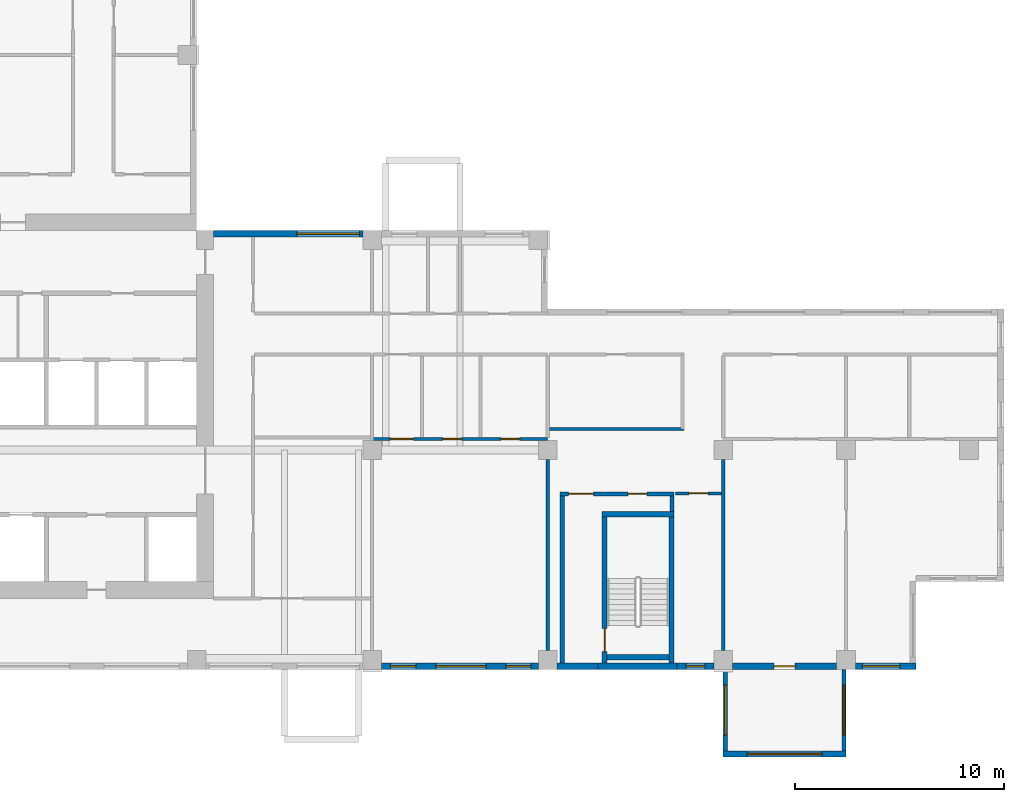
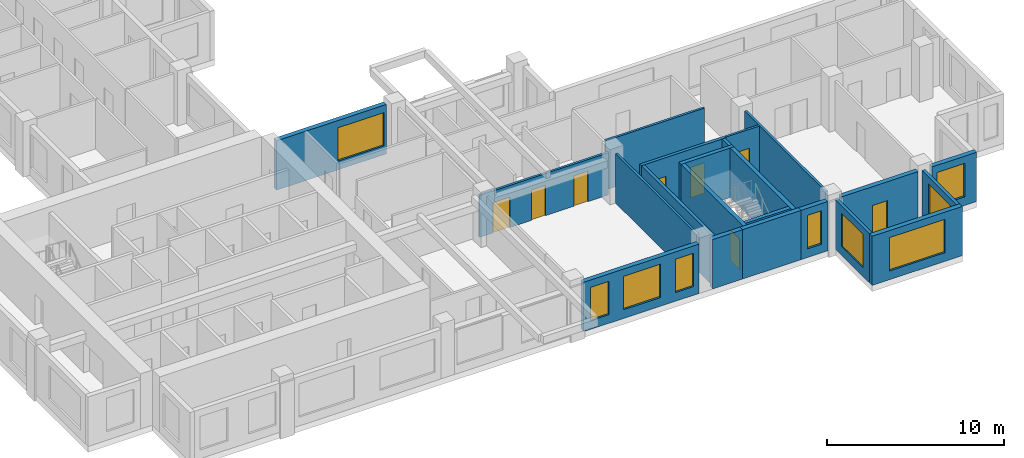
# One storey, part 4 of 12: 22 walls, 9 windows, 8 doors, 17 openings.
"""IFC4 building model written with IfcOpenShell, lengths in metres."""

from ifc_helpers import new_model, si_unit, direction, frame, frame_2d, origin, place, context, subcontext, project, spatial, rectangle, extrude, source, transform, mapped, material, layer, layer_set, type_object, element, fill, save


model = new_model("IFC4")

# Units and contexts
model_context = context("Model", 3, precision=1e-05, world=origin(), true_north=direction((0.0, 1.0)))
body_context = subcontext(model_context, "Body", "Model", "MODEL_VIEW")
ifc_project = project(units=[si_unit("LENGTHUNIT", "METRE"), si_unit("AREAUNIT", "SQUARE_METRE"), si_unit("VOLUMEUNIT", "CUBIC_METRE"), si_unit("PLANEANGLEUNIT", "RADIAN"), si_unit("MASSUNIT", "GRAM", prefix="KILO")], contexts=[model_context])

# Site, building, storey
site_placement = place(None, origin())
site = spatial("IfcSite", under=ifc_project, at=site_placement, CompositionType="ELEMENT")
building_placement = place(site_placement, origin())
building = spatial("IfcBuilding", under=site, at=building_placement, Name="Aurelian Terraces", CompositionType="ELEMENT")
storey_placement = place(building_placement, frame((0.0, 0.0, 189.2)))
storey = spatial("IfcBuildingStorey", under=building, at=storey_placement, Name="L41", CompositionType="ELEMENT", Elevation=189.2)

# Wall, opening, window
ifc_material_1 = material(Name="Terracotta rainscreen cladding", Category="masonry")
ifc_layer_1 = layer(ifc_material_1, 0.3)
ifc_layer_set_1 = layer_set([ifc_layer_1], Name="EW-300")
wall_type_1 = type_object("IfcWallType", Name="EW-300", PredefinedType="STANDARD", material=ifc_layer_set_1)
shared_shape_1 = source(origin(), body_context, "Body", "SweptSolid", [
    extrude(rectangle(XDim=7.15, YDim=0.3, at=frame_2d((3.575, 0.0))), origin(), (0.0, 0.0, 1.0), 3.4),
])
wall_1_placement = place(storey_placement, frame((28.95, 20.85, 0.0), z_axis=(0.0, 0.0, 1.0), x_axis=(-1.0, 0.0, 0.0)))
wall_1 = element("IfcWall", 1, at=wall_1_placement, inside=storey, type_object=wall_type_1, Name="External wall L41 F07.17", PredefinedType="STANDARD", context=body_context, shape_type="MappedRepresentation", body=[
    mapped(shared_shape_1, transform((0.0, 0.0, 0.0), scale=1.0)),
])
shared_shape_2 = source(origin(), body_context, "Body", "SweptSolid", [
    extrude(rectangle(XDim=3.0, YDim=2.3, at=frame_2d((1.5, 1.15))), frame((0.0, 0.16, 0.0), z_axis=(0.0, -1.0, 0.0), x_axis=(1.0, 0.0, 0.0)), (0.0, 0.0, 1.0), 0.32),
])
opening_1_placement = place(wall_1_placement, frame((0.15, 0.0, 0.6)))
opening_1 = element("IfcOpeningElement", 2, at=opening_1_placement, cuts=wall_1, Name="Opening W3023", PredefinedType="OPENING", context=body_context, shape_type="MappedRepresentation", body=[
    mapped(shared_shape_2, transform((0.0, 0.0, 0.0), scale=1.0)),
])
ifc_material_2 = material(Name="Clear glazing", Category="glass")
window_type_1 = type_object("IfcWindowType", Name="W-3000x2300", PartitioningType="SINGLE_PANEL", PredefinedType="WINDOW", material=ifc_material_2)
shared_shape_3 = source(origin(), body_context, "Body", "SweptSolid", [
    extrude(rectangle(XDim=3.0, YDim=2.3, at=frame_2d((1.5, 1.15))), frame((0.0, 0.03, 0.0), z_axis=(0.0, -1.0, 0.0), x_axis=(1.0, 0.0, 0.0)), (0.0, 0.0, 1.0), 0.06),
])
window_1_placement = place(opening_1_placement, origin())
window_1 = element("IfcWindow", 3, at=window_1_placement, inside=storey, type_object=window_type_1, Name="Window L41 L41-F07-17-0", OverallHeight=2.3, OverallWidth=3.0, PartitioningType="SINGLE_PANEL", PredefinedType="WINDOW", context=body_context, shape_type="MappedRepresentation", body=[
    mapped(shared_shape_3, transform((0.0, 0.0, 0.0), scale=1.0)),
])
fill(opening_1, window_1)

# Wall, openings, windows
shared_shape_4 = source(origin(), body_context, "Body", "SweptSolid", [
    extrude(rectangle(XDim=7.5, YDim=0.3, at=frame_2d((3.75, 0.0))), origin(), (0.0, 0.0, 1.0), 3.4),
])
wall_2_placement = place(storey_placement, frame((29.85, 0.15, 0.0), z_axis=(0.0, 0.0, 1.0), x_axis=(1.0, 0.0, 0.0)))
wall_2 = element("IfcWall", 4, at=wall_2_placement, inside=storey, type_object=wall_type_1, Name="External wall L41 F01.4", PredefinedType="STANDARD", context=body_context, shape_type="MappedRepresentation", body=[
    mapped(shared_shape_4, transform((0.0, 0.0, 0.0), scale=1.0)),
])
shared_shape_5 = source(origin(), body_context, "Body", "SweptSolid", [
    extrude(rectangle(XDim=1.2, YDim=2.3, at=frame_2d((0.6, 1.15))), frame((0.0, 0.16, 0.0), z_axis=(0.0, -1.0, 0.0), x_axis=(1.0, 0.0, 0.0)), (0.0, 0.0, 1.0), 0.32),
])
opening_2_placement = place(wall_2_placement, frame((0.4375, 0.0, 0.6)))
opening_2 = element("IfcOpeningElement", 5, at=opening_2_placement, cuts=wall_2, Name="Opening W1223", PredefinedType="OPENING", context=body_context, shape_type="MappedRepresentation", body=[
    mapped(shared_shape_5, transform((0.0, 0.0, 0.0), scale=1.0)),
])
opening_3_placement = place(wall_2_placement, frame((5.9625, 0.0, 0.6)))
opening_3 = element("IfcOpeningElement", 6, at=opening_3_placement, cuts=wall_2, Name="Opening W1223", PredefinedType="OPENING", context=body_context, shape_type="MappedRepresentation", body=[
    mapped(shared_shape_5, transform((0.0, 0.0, 0.0), scale=1.0)),
])
shared_shape_6 = source(origin(), body_context, "Body", "SweptSolid", [
    extrude(rectangle(XDim=2.4, YDim=2.3, at=frame_2d((1.2, 1.15))), frame((0.0, 0.16, 0.0), z_axis=(0.0, -1.0, 0.0), x_axis=(1.0, 0.0, 0.0)), (0.0, 0.0, 1.0), 0.32),
])
opening_4_placement = place(wall_2_placement, frame((2.6, 0.0, 0.6)))
opening_4 = element("IfcOpeningElement", 7, at=opening_4_placement, cuts=wall_2, Name="Opening W2423", PredefinedType="OPENING", context=body_context, shape_type="MappedRepresentation", body=[
    mapped(shared_shape_6, transform((0.0, 0.0, 0.0), scale=1.0)),
])
window_type_2 = type_object("IfcWindowType", Name="W-1200x2300", PartitioningType="SINGLE_PANEL", PredefinedType="WINDOW", material=ifc_material_2)
shared_shape_7 = source(origin(), body_context, "Body", "SweptSolid", [
    extrude(rectangle(XDim=1.2, YDim=2.3, at=frame_2d((0.6, 1.15))), frame((0.0, 0.03, 0.0), z_axis=(0.0, -1.0, 0.0), x_axis=(1.0, 0.0, 0.0)), (0.0, 0.0, 1.0), 0.06),
])
window_2_placement = place(opening_2_placement, origin())
window_2 = element("IfcWindow", 8, at=window_2_placement, inside=storey, type_object=window_type_2, Name="Window L41 L41-F01-04-0", OverallHeight=2.3, OverallWidth=1.2, PartitioningType="SINGLE_PANEL", PredefinedType="WINDOW", context=body_context, shape_type="MappedRepresentation", body=[
    mapped(shared_shape_7, transform((0.0, 0.0, 0.0), scale=1.0)),
])
fill(opening_2, window_2)
window_3_placement = place(opening_3_placement, origin())
window_3 = element("IfcWindow", 9, at=window_3_placement, inside=storey, type_object=window_type_2, Name="Window L41 L41-F01-04-1", OverallHeight=2.3, OverallWidth=1.2, PartitioningType="SINGLE_PANEL", PredefinedType="WINDOW", context=body_context, shape_type="MappedRepresentation", body=[
    mapped(shared_shape_7, transform((0.0, 0.0, 0.0), scale=1.0)),
])
fill(opening_3, window_3)
window_type_3 = type_object("IfcWindowType", Name="W-2400x2300", PartitioningType="SINGLE_PANEL", PredefinedType="WINDOW", material=ifc_material_2)
shared_shape_8 = source(origin(), body_context, "Body", "SweptSolid", [
    extrude(rectangle(XDim=2.4, YDim=2.3, at=frame_2d((1.2, 1.15))), frame((0.0, 0.03, 0.0), z_axis=(0.0, -1.0, 0.0), x_axis=(1.0, 0.0, 0.0)), (0.0, 0.0, 1.0), 0.06),
])
window_4_placement = place(opening_4_placement, origin())
window_4 = element("IfcWindow", 10, at=window_4_placement, inside=storey, type_object=window_type_3, Name="Window L41 L41-F01-04-G0-21", OverallHeight=2.3, OverallWidth=2.4, PartitioningType="SINGLE_PANEL", PredefinedType="WINDOW", context=body_context, shape_type="MappedRepresentation", body=[
    mapped(shared_shape_8, transform((0.0, 0.0, 0.0), scale=1.0)),
])
fill(opening_4, window_4)

# Wall, opening, window
shared_shape_9 = source(origin(), body_context, "Body", "SweptSolid", [
    extrude(rectangle(XDim=2.91, YDim=0.3, at=frame_2d((1.455, 0.0))), origin(), (0.0, 0.0, 1.0), 3.4),
])
wall_3_placement = place(storey_placement, frame((52.53, 0.15, 0.0), z_axis=(0.0, 0.0, 1.0), x_axis=(1.0, 0.0, 0.0)))
wall_3 = element("IfcWall", 11, at=wall_3_placement, inside=storey, type_object=wall_type_1, Name="External wall L41 F01.7", PredefinedType="STANDARD", context=body_context, shape_type="MappedRepresentation", body=[
    mapped(shared_shape_9, transform((0.0, 0.0, 0.0), scale=1.0)),
])
shared_shape_10 = source(origin(), body_context, "Body", "SweptSolid", [
    extrude(rectangle(XDim=1.8, YDim=2.3, at=frame_2d((0.9, 1.15))), frame((0.0, 0.16, 0.0), z_axis=(0.0, -1.0, 0.0), x_axis=(1.0, 0.0, 0.0)), (0.0, 0.0, 1.0), 0.32),
])
opening_5_placement = place(wall_3_placement, frame((0.33, 0.0, 0.6)))
opening_5 = element("IfcOpeningElement", 12, at=opening_5_placement, cuts=wall_3, Name="Opening W1823", PredefinedType="OPENING", context=body_context, shape_type="MappedRepresentation", body=[
    mapped(shared_shape_10, transform((0.0, 0.0, 0.0), scale=1.0)),
])
window_type_4 = type_object("IfcWindowType", Name="W-1800x2300", PartitioningType="SINGLE_PANEL", PredefinedType="WINDOW", material=ifc_material_2)
shared_shape_11 = source(origin(), body_context, "Body", "SweptSolid", [
    extrude(rectangle(XDim=1.8, YDim=2.3, at=frame_2d((0.9, 1.15))), frame((0.0, 0.03, 0.0), z_axis=(0.0, -1.0, 0.0), x_axis=(1.0, 0.0, 0.0)), (0.0, 0.0, 1.0), 0.06),
])
window_5_placement = place(opening_5_placement, origin())
window_5 = element("IfcWindow", 13, at=window_5_placement, inside=storey, type_object=window_type_4, Name="Window L41 L41-F01-07-0", OverallHeight=2.3, OverallWidth=1.8, PartitioningType="SINGLE_PANEL", PredefinedType="WINDOW", context=body_context, shape_type="MappedRepresentation", body=[
    mapped(shared_shape_11, transform((0.0, 0.0, 0.0), scale=1.0)),
])
fill(opening_5, window_5)

ifc_material_3 = material(Name="Concrete fc' 40 MPa", Category="concrete")
ifc_layer_2 = layer(ifc_material_3, 0.2)
ifc_layer_set_2 = layer_set([ifc_layer_2], Name="BOX BEARING WALL 200")
wall_type_2 = type_object("IfcWallType", Name="BOX BEARING WALL 200", PredefinedType="SOLIDWALL", material=ifc_layer_set_2)
shared_shape_12 = source(origin(), body_context, "Body", "SweptSolid", [
    extrude(rectangle(XDim=3.9, YDim=0.2, at=frame_2d((1.95, 0.0))), origin(), (0.0, 0.0, 1.0), 3.39),
])
wall_4_placement = place(storey_placement, frame((46.3, 0.0, 0.0), z_axis=(0.0, 0.0, 1.0), x_axis=(0.0, -1.0, 0.0)))
wall_4 = element("IfcWall", 14, at=wall_4_placement, inside=storey, type_object=wall_type_2, Name="Box return L41 J56.1", PredefinedType="SOLIDWALL", context=body_context, shape_type="MappedRepresentation", body=[
    mapped(shared_shape_12, transform((0.0, 0.0, 0.0), scale=1.0)),
])
shared_shape_13 = source(origin(), body_context, "Body", "SweptSolid", [
    extrude(rectangle(XDim=2.4, YDim=2.3, at=frame_2d((1.2, 1.15))), frame((0.0, 0.11, 0.0), z_axis=(0.0, -1.0, 0.0), x_axis=(1.0, 0.0, 0.0)), (0.0, 0.0, 1.0), 0.22),
])
opening_6_placement = place(wall_4_placement, frame((0.75, 0.0, 0.6)))
opening_6 = element("IfcOpeningElement", 15, at=opening_6_placement, cuts=wall_4, Name="Opening W2423", PredefinedType="OPENING", context=body_context, shape_type="MappedRepresentation", body=[
    mapped(shared_shape_13, transform((0.0, 0.0, 0.0), scale=1.0)),
])
window_6_placement = place(opening_6_placement, origin())
window_6 = element("IfcWindow", 16, at=window_6_placement, inside=storey, type_object=window_type_3, Name="Window L41 J56-S1", OverallHeight=2.3, OverallWidth=2.4, PartitioningType="SINGLE_PANEL", PredefinedType="WINDOW", context=body_context, shape_type="MappedRepresentation", body=[
    mapped(shared_shape_8, transform((0.0, 0.0, 0.0), scale=1.0)),
])
fill(opening_6, window_6)

wall_5_placement = place(storey_placement, frame((51.98, 0.0, 0.0), z_axis=(0.0, 0.0, 1.0), x_axis=(0.0, -1.0, 0.0)))
wall_5 = element("IfcWall", 17, at=wall_5_placement, inside=storey, type_object=wall_type_2, Name="Box return L41 J56.2", PredefinedType="SOLIDWALL", context=body_context, shape_type="MappedRepresentation", body=[
    mapped(shared_shape_12, transform((0.0, 0.0, 0.0), scale=1.0)),
])
opening_7_placement = place(wall_5_placement, frame((0.75, 0.0, 0.6)))
opening_7 = element("IfcOpeningElement", 18, at=opening_7_placement, cuts=wall_5, Name="Opening W2423", PredefinedType="OPENING", context=body_context, shape_type="MappedRepresentation", body=[
    mapped(shared_shape_13, transform((0.0, 0.0, 0.0), scale=1.0)),
])
window_7_placement = place(opening_7_placement, origin())
window_7 = element("IfcWindow", 19, at=window_7_placement, inside=storey, type_object=window_type_3, Name="Window L41 J56-S2", OverallHeight=2.3, OverallWidth=2.4, PartitioningType="SINGLE_PANEL", PredefinedType="WINDOW", context=body_context, shape_type="MappedRepresentation", body=[
    mapped(shared_shape_8, transform((0.0, 0.0, 0.0), scale=1.0)),
])
fill(opening_7, window_7)

# Walls
shared_shape_14 = source(origin(), body_context, "Body", "SweptSolid", [
    extrude(rectangle(XDim=1.95, YDim=0.3, at=frame_2d((0.975, 0.0))), origin(), (0.0, 0.0, 1.0), 3.4),
])
wall_6_placement = place(storey_placement, frame((38.25, 0.15, 0.0), z_axis=(0.0, 0.0, 1.0), x_axis=(1.0, 0.0, 0.0)))
element("IfcWall", 20, at=wall_6_placement, inside=storey, type_object=wall_type_1, Name="External wall L41 F01.5", PredefinedType="STANDARD", context=body_context, shape_type="MappedRepresentation", body=[
    mapped(shared_shape_14, transform((0.0, 0.0, 0.0), scale=1.0)),
])
ifc_layer_3 = layer(ifc_material_3, 0.3)
ifc_layer_set_3 = layer_set([ifc_layer_3], Name="STAIR BAY WALL 300")
wall_type_3 = type_object("IfcWallType", Name="STAIR BAY WALL 300", PredefinedType="SOLIDWALL", material=ifc_layer_set_3)
shared_shape_15 = source(origin(), body_context, "Body", "SweptSolid", [
    extrude(rectangle(XDim=3.8, YDim=0.3, at=frame_2d((1.9, 0.0))), origin(), (0.0, 0.0, 1.0), 3.4),
])
wall_7_placement = place(storey_placement, frame((40.2, 0.15, 0.0), z_axis=(0.0, 0.0, 1.0), x_axis=(1.0, 0.0, 0.0)))
element("IfcWall", 21, at=wall_7_placement, inside=storey, type_object=wall_type_3, Name="Stair bay wall L41 F01.5", PredefinedType="SOLIDWALL", context=body_context, shape_type="MappedRepresentation", body=[
    mapped(shared_shape_15, transform((0.0, 0.0, 0.0), scale=1.0)),
])

# Wall, opening, window
shared_shape_16 = source(origin(), body_context, "Body", "SweptSolid", [
    extrude(rectangle(XDim=1.75, YDim=0.3, at=frame_2d((0.875, 0.0))), origin(), (0.0, 0.0, 1.0), 3.4),
])
wall_8_placement = place(storey_placement, frame((44.0, 0.15, 0.0), z_axis=(0.0, 0.0, 1.0), x_axis=(1.0, 0.0, 0.0)))
wall_8 = element("IfcWall", 22, at=wall_8_placement, inside=storey, type_object=wall_type_1, Name="External wall L41 F01.5", PredefinedType="STANDARD", context=body_context, shape_type="MappedRepresentation", body=[
    mapped(shared_shape_16, transform((0.0, 0.0, 0.0), scale=1.0)),
])
shared_shape_17 = source(origin(), body_context, "Body", "SweptSolid", [
    extrude(rectangle(XDim=0.9, YDim=2.3, at=frame_2d((0.45, 1.15))), frame((0.0, 0.16, 0.0), z_axis=(0.0, -1.0, 0.0), x_axis=(1.0, 0.0, 0.0)), (0.0, 0.0, 1.0), 0.32),
])
opening_8_placement = place(wall_8_placement, frame((0.425, 0.0, 0.6)))
opening_8 = element("IfcOpeningElement", 23, at=opening_8_placement, cuts=wall_8, Name="Opening W0923", PredefinedType="OPENING", context=body_context, shape_type="MappedRepresentation", body=[
    mapped(shared_shape_17, transform((0.0, 0.0, 0.0), scale=1.0)),
])
window_type_5 = type_object("IfcWindowType", Name="W-900x2300", PartitioningType="SINGLE_PANEL", PredefinedType="WINDOW", material=ifc_material_2)
shared_shape_18 = source(origin(), body_context, "Body", "SweptSolid", [
    extrude(rectangle(XDim=0.9, YDim=2.3, at=frame_2d((0.45, 1.15))), frame((0.0, 0.03, 0.0), z_axis=(0.0, -1.0, 0.0), x_axis=(1.0, 0.0, 0.0)), (0.0, 0.0, 1.0), 0.06),
])
window_8_placement = place(opening_8_placement, origin())
window_8 = element("IfcWindow", 24, at=window_8_placement, inside=storey, type_object=window_type_5, Name="Window L41 L41-F01-05-P2", OverallHeight=2.3, OverallWidth=0.9, PartitioningType="SINGLE_PANEL", PredefinedType="WINDOW", context=body_context, shape_type="MappedRepresentation", body=[
    mapped(shared_shape_18, transform((0.0, 0.0, 0.0), scale=1.0)),
])
fill(opening_8, window_8)

# Wall, opening, door
shared_shape_19 = source(origin(), body_context, "Body", "SweptSolid", [
    extrude(rectangle(XDim=4.98, YDim=0.3, at=frame_2d((2.49, 0.0))), origin(), (0.0, 0.0, 1.0), 3.4),
])
wall_9_placement = place(storey_placement, frame((46.65, 0.15, 0.0), z_axis=(0.0, 0.0, 1.0), x_axis=(1.0, 0.0, 0.0)))
wall_9 = element("IfcWall", 25, at=wall_9_placement, inside=storey, type_object=wall_type_1, Name="External wall L41 F01.6", PredefinedType="STANDARD", context=body_context, shape_type="MappedRepresentation", body=[
    mapped(shared_shape_19, transform((0.0, 0.0, 0.0), scale=1.0)),
])
shared_shape_20 = source(origin(), body_context, "Body", "SweptSolid", [
    extrude(rectangle(XDim=1.0, YDim=2.1, at=frame_2d((0.5, 1.05))), frame((0.0, 0.16, 0.0), z_axis=(0.0, -1.0, 0.0), x_axis=(1.0, 0.0, 0.0)), (0.0, 0.0, 1.0), 0.32),
])
opening_9_placement = place(wall_9_placement, frame((1.99, 0.0, 0.0)))
opening_9 = element("IfcOpeningElement", 26, at=opening_9_placement, cuts=wall_9, Name="Opening 841001", PredefinedType="OPENING", context=body_context, shape_type="MappedRepresentation", body=[
    mapped(shared_shape_20, transform((0.0, 0.0, 0.0), scale=1.0)),
])
ifc_material_4 = material(Name="Timber door leaf", Category="wood")
door_type_1 = type_object("IfcDoorType", Name="Room door 1000x2100 left", OperationType="SINGLE_SWING_LEFT", PredefinedType="DOOR", material=ifc_material_4)
shared_shape_21 = source(origin(), body_context, "Body", "SweptSolid", [
    extrude(rectangle(XDim=1.0, YDim=2.1, at=frame_2d((0.5, 1.05))), frame((0.0, 0.025, 0.0), z_axis=(0.0, -1.0, 0.0), x_axis=(1.0, 0.0, 0.0)), (0.0, 0.0, 1.0), 0.05),
])
door_1_placement = place(opening_9_placement, origin())
door_1 = element("IfcDoor", 27, at=door_1_placement, inside=storey, type_object=door_type_1, Name="Door 841001", OperationType="SINGLE_SWING_LEFT", OverallHeight=2.1, OverallWidth=1.0, PredefinedType="DOOR", context=body_context, shape_type="MappedRepresentation", body=[
    mapped(shared_shape_21, transform((0.0, 0.0, 0.0), scale=1.0)),
])
fill(opening_9, door_1)

# Wall, opening, window
ifc_layer_4 = layer(ifc_material_3, 0.3)
ifc_layer_set_4 = layer_set([ifc_layer_4], Name="BOX BEARING WALL 300")
wall_type_4 = type_object("IfcWallType", Name="BOX BEARING WALL 300", PredefinedType="SOLIDWALL", material=ifc_layer_set_4)
shared_shape_22 = source(origin(), body_context, "Body", "SweptSolid", [
    extrude(rectangle(XDim=5.88, YDim=0.3, at=frame_2d((2.94, 0.0))), origin(), (0.0, 0.0, 1.0), 3.39),
])
wall_10_placement = place(storey_placement, frame((46.2, -4.05, 0.0), z_axis=(0.0, 0.0, 1.0), x_axis=(1.0, 0.0, 0.0)))
wall_10 = element("IfcWall", 28, at=wall_10_placement, inside=storey, type_object=wall_type_4, Name="Box wall L41 J56", PredefinedType="SOLIDWALL", context=body_context, shape_type="MappedRepresentation", body=[
    mapped(shared_shape_22, transform((0.0, 0.0, 0.0), scale=1.0)),
])
shared_shape_23 = source(origin(), body_context, "Body", "SweptSolid", [
    extrude(rectangle(XDim=3.6, YDim=2.3, at=frame_2d((1.8, 1.15))), frame((0.0, 0.16, 0.0), z_axis=(0.0, -1.0, 0.0), x_axis=(1.0, 0.0, 0.0)), (0.0, 0.0, 1.0), 0.32),
])
opening_10_placement = place(wall_10_placement, frame((1.14, 0.0, 0.6)))
opening_10 = element("IfcOpeningElement", 29, at=opening_10_placement, cuts=wall_10, Name="Opening W3623", PredefinedType="OPENING", context=body_context, shape_type="MappedRepresentation", body=[
    mapped(shared_shape_23, transform((0.0, 0.0, 0.0), scale=1.0)),
])
window_type_6 = type_object("IfcWindowType", Name="W-3600x2300", PartitioningType="SINGLE_PANEL", PredefinedType="WINDOW", material=ifc_material_2)
shared_shape_24 = source(origin(), body_context, "Body", "SweptSolid", [
    extrude(rectangle(XDim=3.6, YDim=2.3, at=frame_2d((1.8, 1.15))), frame((0.0, 0.03, 0.0), z_axis=(0.0, -1.0, 0.0), x_axis=(1.0, 0.0, 0.0)), (0.0, 0.0, 1.0), 0.06),
])
window_9_placement = place(opening_10_placement, origin())
window_9 = element("IfcWindow", 30, at=window_9_placement, inside=storey, type_object=window_type_6, Name="Window L41 J56-F1", OverallHeight=2.3, OverallWidth=3.6, PartitioningType="SINGLE_PANEL", PredefinedType="WINDOW", context=body_context, shape_type="MappedRepresentation", body=[
    mapped(shared_shape_24, transform((0.0, 0.0, 0.0), scale=1.0)),
])
fill(opening_10, window_9)

# Wall, opening, door
ifc_layer_5 = layer(ifc_material_3, 0.25)
ifc_layer_set_5 = layer_set([ifc_layer_5], Name="Stair enclosure wall 250")
wall_type_5 = type_object("IfcWallType", Name="Stair enclosure wall 250", PredefinedType="SOLIDWALL", material=ifc_layer_set_5)
shared_shape_25 = source(origin(), body_context, "Body", "SweptSolid", [
    extrude(rectangle(XDim=7.0, YDim=0.25, at=frame_2d((3.5, 0.0))), origin(), (0.0, 0.0, 1.0), 3.4),
])
wall_11_placement = place(storey_placement, frame((40.525, 0.3, 0.0), z_axis=(0.0, 0.0, 1.0), x_axis=(0.0, 1.0, 0.0)))
wall_11 = element("IfcWall", 31, at=wall_11_placement, inside=storey, type_object=wall_type_5, Name="L41 core wall ST-S2-W", PredefinedType="SOLIDWALL", context=body_context, shape_type="MappedRepresentation", body=[
    mapped(shared_shape_25, transform((0.0, 0.0, 0.0), scale=1.0)),
])
shared_shape_26 = source(origin(), body_context, "Body", "SweptSolid", [
    extrude(rectangle(XDim=1.1, YDim=2.1, at=frame_2d((0.55, 1.05))), frame((0.0, 0.135, 0.0), z_axis=(0.0, -1.0, 0.0), x_axis=(1.0, 0.0, 0.0)), (0.0, 0.0, 1.0), 0.27),
])
opening_11_placement = place(wall_11_placement, frame((0.55, 0.0, 0.0)))
opening_11 = element("IfcOpeningElement", 32, at=opening_11_placement, cuts=wall_11, Name="Opening 64415", PredefinedType="OPENING", context=body_context, shape_type="MappedRepresentation", body=[
    mapped(shared_shape_26, transform((0.0, 0.0, 0.0), scale=1.0)),
])
ifc_material_5 = material(Name="Steel door leaf", Category="steel")
door_type_2 = type_object("IfcDoorType", Name="Core fire door 1100x2100 right", OperationType="SINGLE_SWING_RIGHT", PredefinedType="DOOR", material=ifc_material_5)
shared_shape_27 = source(origin(), body_context, "Body", "SweptSolid", [
    extrude(rectangle(XDim=1.1, YDim=2.1, at=frame_2d((0.55, 1.05))), frame((0.0, 0.025, 0.0), z_axis=(0.0, -1.0, 0.0), x_axis=(1.0, 0.0, 0.0)), (0.0, 0.0, 1.0), 0.05),
])
door_2_placement = place(opening_11_placement, origin())
door_2 = element("IfcDoor", 33, at=door_2_placement, inside=storey, type_object=door_type_2, Name="Stair door 64415", OperationType="SINGLE_SWING_RIGHT", OverallHeight=2.1, OverallWidth=1.1, PredefinedType="DOOR", context=body_context, shape_type="MappedRepresentation", body=[
    mapped(shared_shape_27, transform((0.0, 0.0, 0.0), scale=1.0)),
])
fill(opening_11, door_2)

# Walls
wall_12_placement = place(storey_placement, frame((43.725, 0.3, 0.0), z_axis=(0.0, 0.0, 1.0), x_axis=(0.0, 1.0, 0.0)))
element("IfcWall", 34, at=wall_12_placement, inside=storey, type_object=wall_type_5, Name="L41 core wall ST-S2-E", PredefinedType="SOLIDWALL", context=body_context, shape_type="MappedRepresentation", body=[
    mapped(shared_shape_25, transform((0.0, 0.0, 0.0), scale=1.0)),
])
shared_shape_28 = source(origin(), body_context, "Body", "SweptSolid", [
    extrude(rectangle(XDim=3.45, YDim=0.25, at=frame_2d((1.725, 0.0))), origin(), (0.0, 0.0, 1.0), 3.4),
])
wall_13_placement = place(storey_placement, frame((40.4, 7.425, 0.0), z_axis=(0.0, 0.0, 1.0), x_axis=(1.0, 0.0, 0.0)))
element("IfcWall", 35, at=wall_13_placement, inside=storey, type_object=wall_type_5, Name="L41 core wall ST-S2-N", PredefinedType="SOLIDWALL", context=body_context, shape_type="MappedRepresentation", body=[
    mapped(shared_shape_28, transform((0.0, 0.0, 0.0), scale=1.0)),
])
shared_shape_29 = source(origin(), body_context, "Body", "SweptSolid", [
    extrude(rectangle(XDim=2.95, YDim=0.25, at=frame_2d((1.475, 0.0))), origin(), (0.0, 0.0, 1.0), 3.4),
])
wall_14_placement = place(storey_placement, frame((40.65, 0.575, 0.0), z_axis=(0.0, 0.0, 1.0), x_axis=(1.0, 0.0, 0.0)))
element("IfcWall", 36, at=wall_14_placement, inside=storey, type_object=wall_type_5, Name="L41 core wall ST-S2-SS", PredefinedType="SOLIDWALL", context=body_context, shape_type="MappedRepresentation", body=[
    mapped(shared_shape_29, transform((0.0, 0.0, 0.0), scale=1.0)),
])

# Wall, openings, doors
ifc_material_6 = material(Name="Gypsum board on steel studs", Category="steel")
ifc_layer_6 = layer(ifc_material_6, 0.2)
ifc_layer_set_6 = layer_set([ifc_layer_6], Name="Core partition 200")
wall_type_6 = type_object("IfcWallType", Name="Core partition 200", PredefinedType="PARTITIONING", material=ifc_layer_set_6)
shared_shape_30 = source(origin(), body_context, "Body", "SweptSolid", [
    extrude(rectangle(XDim=5.45, YDim=0.2, at=frame_2d((2.725, 0.0))), origin(), (0.0, 0.0, 1.0), 3.4),
])
wall_15_placement = place(storey_placement, frame((38.4, 8.4, 0.0), z_axis=(0.0, 0.0, 1.0), x_axis=(1.0, 0.0, 0.0)))
wall_15 = element("IfcWall", 37, at=wall_15_placement, inside=storey, type_object=wall_type_6, Name="L41 core wall ST-S2-BN", PredefinedType="PARTITIONING", context=body_context, shape_type="MappedRepresentation", body=[
    mapped(shared_shape_30, transform((0.0, 0.0, 0.0), scale=1.0)),
])
shared_shape_31 = source(origin(), body_context, "Body", "SweptSolid", [
    extrude(rectangle(XDim=1.2, YDim=2.1, at=frame_2d((0.6, 1.05))), frame((0.0, 0.11, 0.0), z_axis=(0.0, -1.0, 0.0), x_axis=(1.0, 0.0, 0.0)), (0.0, 0.0, 1.0), 0.22),
])
opening_12_placement = place(wall_15_placement, frame((0.4, 0.0, 0.0)))
opening_12 = element("IfcOpeningElement", 38, at=opening_12_placement, cuts=wall_15, Name="Opening 64416", PredefinedType="OPENING", context=body_context, shape_type="MappedRepresentation", body=[
    mapped(shared_shape_31, transform((0.0, 0.0, 0.0), scale=1.0)),
])
shared_shape_32 = source(origin(), body_context, "Body", "SweptSolid", [
    extrude(rectangle(XDim=0.9, YDim=2.1, at=frame_2d((0.45, 1.05))), frame((0.0, 0.11, 0.0), z_axis=(0.0, -1.0, 0.0), x_axis=(1.0, 0.0, 0.0)), (0.0, 0.0, 1.0), 0.22),
])
opening_13_placement = place(wall_15_placement, frame((3.25, 0.0, 0.0)))
opening_13 = element("IfcOpeningElement", 39, at=opening_13_placement, cuts=wall_15, Name="Opening 64417", PredefinedType="OPENING", context=body_context, shape_type="MappedRepresentation", body=[
    mapped(shared_shape_32, transform((0.0, 0.0, 0.0), scale=1.0)),
])
door_type_3 = type_object("IfcDoorType", Name="Core riser door 900x2100 right", OperationType="SINGLE_SWING_RIGHT", PredefinedType="DOOR", material=ifc_material_5)
shared_shape_33 = source(origin(), body_context, "Body", "SweptSolid", [
    extrude(rectangle(XDim=0.9, YDim=2.1, at=frame_2d((0.45, 1.05))), frame((0.0, 0.025, 0.0), z_axis=(0.0, -1.0, 0.0), x_axis=(1.0, 0.0, 0.0)), (0.0, 0.0, 1.0), 0.05),
])
door_3_placement = place(opening_13_placement, origin())
door_3 = element("IfcDoor", 40, at=door_3_placement, inside=storey, type_object=door_type_3, Name="Riser door 64417", OperationType="SINGLE_SWING_RIGHT", OverallHeight=2.1, OverallWidth=0.9, PredefinedType="DOOR", context=body_context, shape_type="MappedRepresentation", body=[
    mapped(shared_shape_33, transform((0.0, 0.0, 0.0), scale=1.0)),
])
fill(opening_13, door_3)
door_type_4 = type_object("IfcDoorType", Name="Core fire door 1200x2100", OperationType="SINGLE_SWING_LEFT", PredefinedType="DOOR", material=ifc_material_5)
shared_shape_34 = source(origin(), body_context, "Body", "SweptSolid", [
    extrude(rectangle(XDim=1.2, YDim=2.1, at=frame_2d((0.6, 1.05))), frame((0.0, 0.025, 0.0), z_axis=(0.0, -1.0, 0.0), x_axis=(1.0, 0.0, 0.0)), (0.0, 0.0, 1.0), 0.05),
])
door_4_placement = place(opening_12_placement, origin())
door_4 = element("IfcDoor", 41, at=door_4_placement, inside=storey, type_object=door_type_4, Name="Vestibule door 64416", OperationType="SINGLE_SWING_LEFT", OverallHeight=2.1, OverallWidth=1.2, PredefinedType="DOOR", context=body_context, shape_type="MappedRepresentation", body=[
    mapped(shared_shape_34, transform((0.0, 0.0, 0.0), scale=1.0)),
])
fill(opening_12, door_4)

# Walls
shared_shape_35 = source(origin(), body_context, "Body", "SweptSolid", [
    extrude(rectangle(XDim=0.75, YDim=0.2, at=frame_2d((0.375, 0.0))), origin(), (0.0, 0.0, 1.0), 3.4),
])
wall_16_placement = place(storey_placement, frame((43.75, 7.55, 0.0), z_axis=(0.0, 0.0, 1.0), x_axis=(0.0, 1.0, 0.0)))
element("IfcWall", 42, at=wall_16_placement, inside=storey, type_object=wall_type_6, Name="L41 core wall ST-S2-RE", PredefinedType="PARTITIONING", context=body_context, shape_type="MappedRepresentation", body=[
    mapped(shared_shape_35, transform((0.0, 0.0, 0.0), scale=1.0)),
])
shared_shape_36 = source(origin(), body_context, "Body", "SweptSolid", [
    extrude(rectangle(XDim=8.0, YDim=0.2, at=frame_2d((4.0, 0.0))), origin(), (0.0, 0.0, 1.0), 3.4),
])
wall_17_placement = place(storey_placement, frame((38.5, 0.3, 0.0), z_axis=(0.0, 0.0, 1.0), x_axis=(0.0, 1.0, 0.0)))
element("IfcWall", 43, at=wall_17_placement, inside=storey, type_object=wall_type_6, Name="L41 core wall ST-S2-VW", PredefinedType="PARTITIONING", context=body_context, shape_type="MappedRepresentation", body=[
    mapped(shared_shape_36, transform((0.0, 0.0, 0.0), scale=1.0)),
])
ifc_layer_7 = layer(ifc_material_6, 0.15)
ifc_layer_set_7 = layer_set([ifc_layer_7], Name="Partition 150")
wall_type_7 = type_object("IfcWallType", Name="Partition 150", PredefinedType="PARTITIONING", material=ifc_layer_set_7)
shared_shape_37 = source(origin(), body_context, "Body", "SweptSolid", [
    extrude(rectangle(XDim=6.45, YDim=0.15, at=frame_2d((3.225, 0.0))), origin(), (0.0, 0.0, 1.0), 3.4),
])
wall_18_placement = place(storey_placement, frame((37.875, 11.5, 0.0), z_axis=(0.0, 0.0, 1.0), x_axis=(1.0, 0.0, 0.0)))
element("IfcWall", 44, at=wall_18_placement, inside=storey, type_object=wall_type_7, Name="Partition", PredefinedType="PARTITIONING", context=body_context, shape_type="MappedRepresentation", body=[
    mapped(shared_shape_37, transform((0.0, 0.0, 0.0), scale=1.0)),
])
ifc_layer_8 = layer(ifc_material_6, 0.15)
ifc_layer_set_8 = layer_set([ifc_layer_8], Name="Fire partition 150")
wall_type_8 = type_object("IfcWallType", Name="Fire partition 150", PredefinedType="PARTITIONING", material=ifc_layer_set_8)
shared_shape_38 = source(origin(), body_context, "Body", "SweptSolid", [
    extrude(rectangle(XDim=9.152, YDim=0.15, at=frame_2d((4.576, 0.0))), origin(), (0.0, 0.0, 1.0), 3.4),
])
for number, where, z_axis, x_axis, name in (
    (45, (37.8, 0.899, 0.0), (0.0, 0.0, 1.0), (0.0, 1.0, 0.0), "Party wall"),
    (46, (46.2, 0.899, 0.0), (0.0, 0.0, 1.0), (0.0, 1.0, 0.0), "Party wall"),
):
    element("IfcWall", number, at=place(storey_placement, frame(where, z_axis=z_axis, x_axis=x_axis)), inside=storey, type_object=wall_type_8, Name=name, PredefinedType="PARTITIONING", context=body_context, shape_type="MappedRepresentation", body=[
        mapped(shared_shape_38, transform((0.0, 0.0, 0.0), scale=1.0)),
    ])

# Wall, opening, door
shared_shape_39 = source(origin(), body_context, "Body", "SweptSolid", [
    extrude(rectangle(XDim=2.2, YDim=0.15, at=frame_2d((1.1, 0.0))), origin(), (0.0, 0.0, 1.0), 3.4),
])
wall_19_placement = place(storey_placement, frame((46.125, 8.425, 0.0), z_axis=(0.0, 0.0, 1.0), x_axis=(-1.0, 0.0, 0.0)))
wall_19 = element("IfcWall", 47, at=wall_19_placement, inside=storey, type_object=wall_type_7, Name="Partition", PredefinedType="PARTITIONING", context=body_context, shape_type="MappedRepresentation", body=[
    mapped(shared_shape_39, transform((0.0, 0.0, 0.0), scale=1.0)),
])
shared_shape_40 = source(origin(), body_context, "Body", "SweptSolid", [
    extrude(rectangle(XDim=0.9, YDim=2.1, at=frame_2d((0.45, 1.05))), frame((0.0, 0.085, 0.0), z_axis=(0.0, -1.0, 0.0), x_axis=(1.0, 0.0, 0.0)), (0.0, 0.0, 1.0), 0.17),
])
opening_14_placement = place(wall_19_placement, frame((0.65, 0.0, 0.0)))
opening_14 = element("IfcOpeningElement", 48, at=opening_14_placement, cuts=wall_19, Name="Opening 741006", PredefinedType="OPENING", context=body_context, shape_type="MappedRepresentation", body=[
    mapped(shared_shape_40, transform((0.0, 0.0, 0.0), scale=1.0)),
])
door_type_5 = type_object("IfcDoorType", Name="Room door 900x2100 right", OperationType="SINGLE_SWING_RIGHT", PredefinedType="DOOR", material=ifc_material_4)
door_5_placement = place(opening_14_placement, origin())
door_5 = element("IfcDoor", 49, at=door_5_placement, inside=storey, type_object=door_type_5, Name="Door 741006", OperationType="SINGLE_SWING_RIGHT", OverallHeight=2.1, OverallWidth=0.9, PredefinedType="DOOR", context=body_context, shape_type="MappedRepresentation", body=[
    mapped(shared_shape_33, transform((0.0, 0.0, 0.0), scale=1.0)),
])
fill(opening_14, door_5)

# Wall, openings, doors
shared_shape_41 = source(origin(), body_context, "Body", "SweptSolid", [
    extrude(rectangle(XDim=8.4, YDim=0.15, at=frame_2d((4.2, 0.0))), origin(), (0.0, 0.0, 1.0), 2.9),
])
wall_20_placement = place(storey_placement, frame((37.8, 11.025, 0.0), z_axis=(0.0, 0.0, 1.0), x_axis=(-1.0, 0.0, 0.0)))
wall_20 = element("IfcWall", 50, at=wall_20_placement, inside=storey, type_object=wall_type_7, Name="Partition", PredefinedType="PARTITIONING", context=body_context, shape_type="MappedRepresentation", body=[
    mapped(shared_shape_41, transform((0.0, 0.0, 0.0), scale=1.0)),
])
shared_shape_42 = source(origin(), body_context, "Body", "SweptSolid", [
    extrude(rectangle(XDim=1.1, YDim=2.1, at=frame_2d((0.55, 1.05))), frame((0.0, 0.085, 0.0), z_axis=(0.0, -1.0, 0.0), x_axis=(1.0, 0.0, 0.0)), (0.0, 0.0, 1.0), 0.17),
])
opening_15_placement = place(wall_20_placement, frame((6.424, 0.0, 0.0)))
opening_15 = element("IfcOpeningElement", 51, at=opening_15_placement, cuts=wall_20, Name="Opening 741008", PredefinedType="OPENING", context=body_context, shape_type="MappedRepresentation", body=[
    mapped(shared_shape_42, transform((0.0, 0.0, 0.0), scale=1.0)),
])
opening_16_placement = place(wall_20_placement, frame((4.1201, 0.0, 0.0)))
opening_16 = element("IfcOpeningElement", 52, at=opening_16_placement, cuts=wall_20, Name="Opening 741009", PredefinedType="OPENING", context=body_context, shape_type="MappedRepresentation", body=[
    mapped(shared_shape_40, transform((0.0, 0.0, 0.0), scale=1.0)),
])
opening_17_placement = place(wall_20_placement, frame((1.3462, 0.0, 0.0)))
opening_17 = element("IfcOpeningElement", 53, at=opening_17_placement, cuts=wall_20, Name="Opening 741010", PredefinedType="OPENING", context=body_context, shape_type="MappedRepresentation", body=[
    mapped(shared_shape_40, transform((0.0, 0.0, 0.0), scale=1.0)),
])
door_type_6 = type_object("IfcDoorType", Name="Room door 900x2100 left", OperationType="SINGLE_SWING_LEFT", PredefinedType="DOOR", material=ifc_material_4)
door_6_placement = place(opening_16_placement, origin())
door_6 = element("IfcDoor", 54, at=door_6_placement, inside=storey, type_object=door_type_6, Name="Door 741009", OperationType="SINGLE_SWING_LEFT", OverallHeight=2.1, OverallWidth=0.9, PredefinedType="DOOR", context=body_context, shape_type="MappedRepresentation", body=[
    mapped(shared_shape_33, transform((0.0, 0.0, 0.0), scale=1.0)),
])
fill(opening_16, door_6)
door_7_placement = place(opening_17_placement, origin())
door_7 = element("IfcDoor", 55, at=door_7_placement, inside=storey, type_object=door_type_5, Name="Door 741010", OperationType="SINGLE_SWING_RIGHT", OverallHeight=2.1, OverallWidth=0.9, PredefinedType="DOOR", context=body_context, shape_type="MappedRepresentation", body=[
    mapped(shared_shape_33, transform((0.0, 0.0, 0.0), scale=1.0)),
])
fill(opening_17, door_7)
door_type_7 = type_object("IfcDoorType", Name="Room door 1100x2100 right", OperationType="SINGLE_SWING_RIGHT", PredefinedType="DOOR", material=ifc_material_4)
door_8_placement = place(opening_15_placement, origin())
door_8 = element("IfcDoor", 56, at=door_8_placement, inside=storey, type_object=door_type_7, Name="Door 741008", OperationType="SINGLE_SWING_RIGHT", OverallHeight=2.1, OverallWidth=1.1, PredefinedType="DOOR", context=body_context, shape_type="MappedRepresentation", body=[
    mapped(shared_shape_27, transform((0.0, 0.0, 0.0), scale=1.0)),
])
fill(opening_15, door_8)

save(model, "model.ifc")
